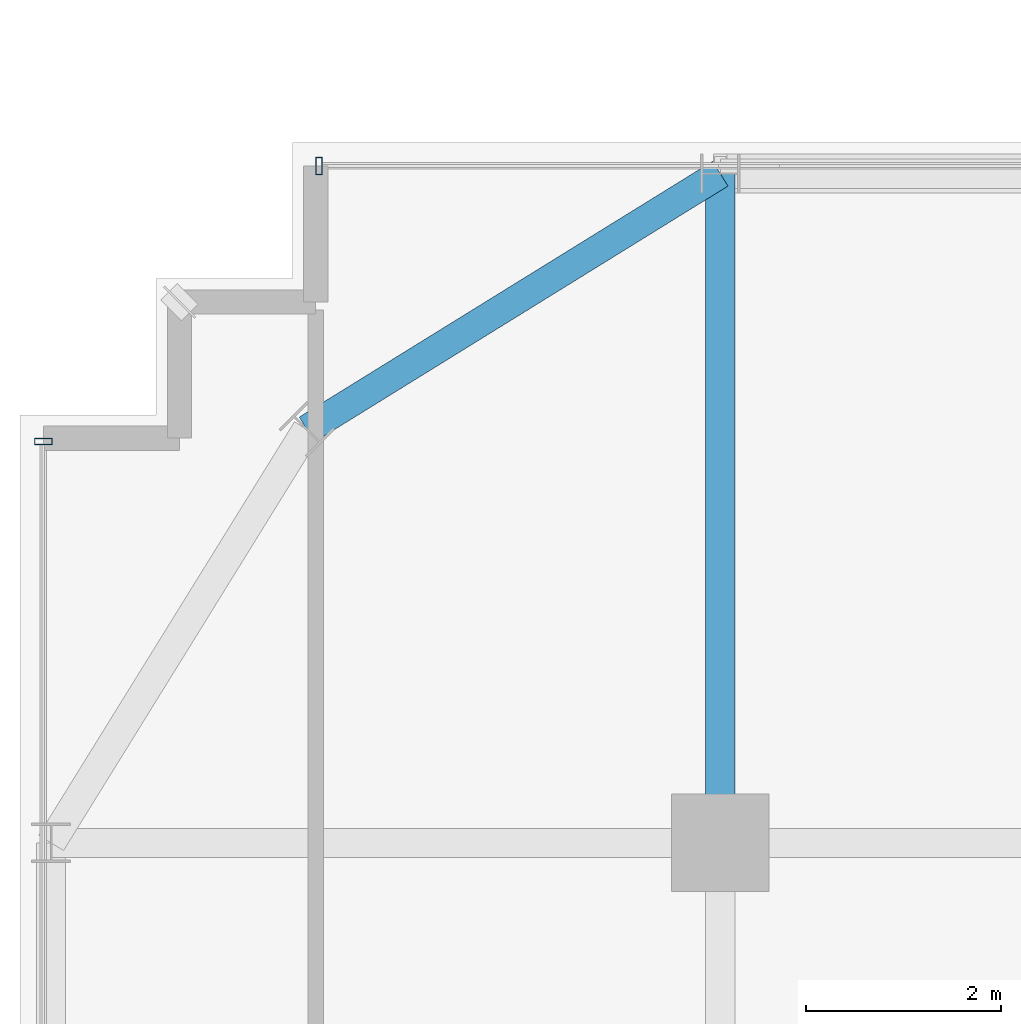
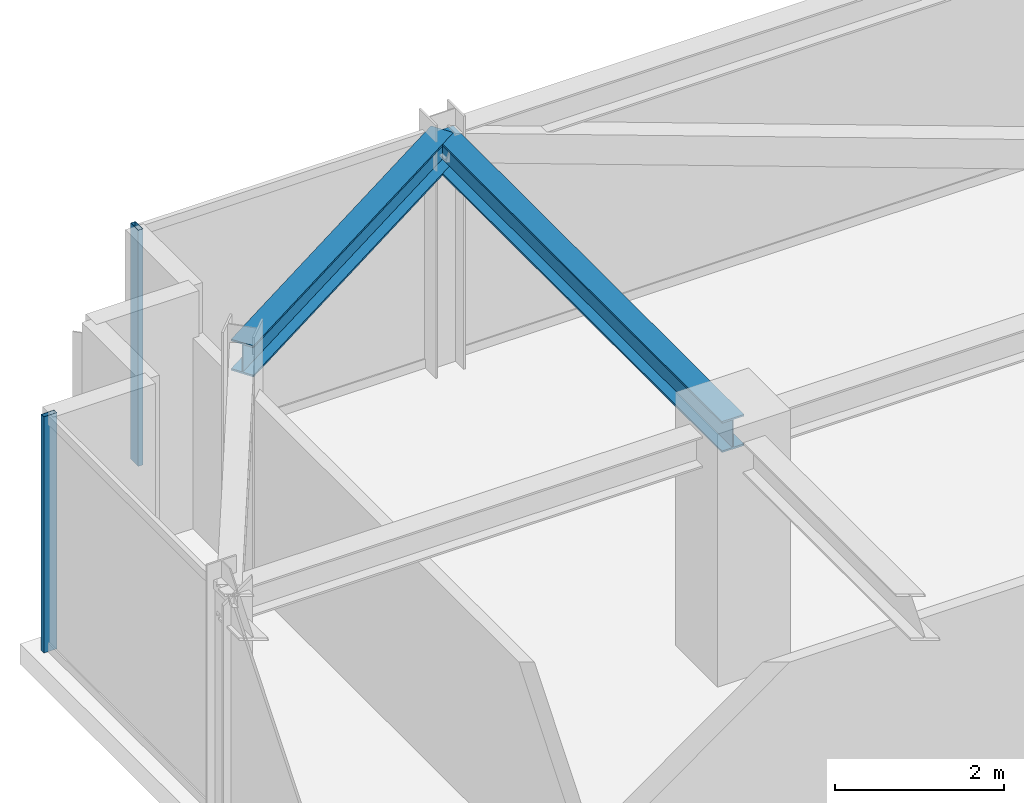
# One storey, part 20 of 42: 2 beams, 2 members, 2 elements without a shape of their own.
"""IFC4 building model written with IfcOpenShell, lengths in metres."""

from ifc_helpers import new_model, si_unit, direction, frame, origin, origin_2d, place, context, subcontext, project, spatial, hollow_rectangle, i_section, extrude, source, transform, mapped, material, material_profile, profile_set, type_object, element, aggregate, save


model = new_model("IFC4")

# Units and contexts
model_context = context("Model", 3, precision=1e-05, world=origin(), true_north=direction((0.0, 1.0)))
body_context = subcontext(model_context, "Body", "Model", "MODEL_VIEW")
ifc_project = project(units=[si_unit("LENGTHUNIT", "METRE"), si_unit("AREAUNIT", "SQUARE_METRE"), si_unit("VOLUMEUNIT", "CUBIC_METRE"), si_unit("PLANEANGLEUNIT", "RADIAN"), si_unit("MASSUNIT", "GRAM", prefix="KILO")], contexts=[model_context])

# Site, building, storey
site_placement = place(None, origin())
site = spatial("IfcSite", under=ifc_project, at=site_placement, CompositionType="ELEMENT")
building_placement = place(site_placement, origin())
building = spatial("IfcBuilding", under=site, at=building_placement, Name="Nahalor Promenade Grand Hotel", CompositionType="ELEMENT")
storey_placement = place(building_placement, frame((0.0, 0.0, 249.300048828125)))
storey = spatial("IfcBuildingStorey", under=building, at=storey_placement, Name="L64", CompositionType="ELEMENT", Elevation=249.300048828125)

# Beams
ifc_material_1 = material(Name="Steel S355JR", Category="steel")
ifc_material_profile_1 = material_profile(ifc_material_1, i_section(OverallWidth=0.3, OverallDepth=0.45, WebThickness=0.014, FlangeThickness=0.026, at=origin_2d()), Name="HEB 450")
ifc_profile_set_1 = profile_set([ifc_material_profile_1], Name="Steel S355JR")
beam_type_1 = type_object("IfcBeamType", Name="Beam-Spandrel-HEB450", PredefinedType="SPANDREL", material=ifc_profile_set_1)
shared_shape_1 = source(origin(), body_context, "Body", "SweptSolid", [
    extrude(i_section(OverallWidth=0.3, OverallDepth=0.45, WebThickness=0.014, FlangeThickness=0.026, at=origin_2d()), origin(), (0.0, 0.0, 1.0), 4.997802734375),
])
beam_1_placement = place(storey_placement, frame((-17.0, 23.8798828125, 3.18505859375), z_axis=(-0.850360908404, -0.526199891161, 0.0), x_axis=(0.526199891161, -0.850360908404, 0.0)))
element("IfcBeam", 1, at=beam_1_placement, inside=storey, type_object=beam_type_1, Name="BM-L64-SPC-NW-1", PredefinedType="SPANDREL", context=body_context, shape_type="MappedRepresentation", body=[
    mapped(shared_shape_1, transform((0.0, 0.0, 0.0), scale=1.0)),
])
ifc_material_profile_2 = material_profile(ifc_material_1, i_section(OverallWidth=0.3, OverallDepth=0.45, WebThickness=0.014, FlangeThickness=0.026, at=origin_2d()), Name="HEB 450")
ifc_profile_set_2 = profile_set([ifc_material_profile_2], Name="Steel S355JR")
beam_type_2 = type_object("IfcBeamType", Name="Beam-Girder-HEB450", PredefinedType="BEAM", material=ifc_profile_set_2)
shared_shape_2 = source(origin(), body_context, "Body", "SweptSolid", [
    extrude(i_section(OverallWidth=0.3, OverallDepth=0.45, WebThickness=0.014, FlangeThickness=0.026, at=origin_2d()), origin(), (0.0, 0.0, 1.0), 6.8798828125),
])
beam_2_placement = place(storey_placement, frame((-17.0, 17.0, 3.18505859375), z_axis=(0.0, 1.0, 0.0), x_axis=(-1.0, 0.0, 0.0)))
element("IfcBeam", 2, at=beam_2_placement, inside=storey, type_object=beam_type_2, Name="BM-L64-GY-0-4", PredefinedType="BEAM", context=body_context, shape_type="MappedRepresentation", body=[
    mapped(shared_shape_2, transform((0.0, 0.0, 0.0), scale=1.0)),
])

# Curtain wall, member
ifc_material_2 = material(Name="Anodised Bronze Aluminium EN AW-6063 T6", Category="aluminium")
curtain_wall_type = type_object("IfcCurtainWallType", Name="CW2 Typical Hotel Flush Bronze Unitised Curtain Wall", PredefinedType="USERDEFINED", material=ifc_material_2)
curtain_wall_1_placement = place(storey_placement, origin())
curtain_wall_1 = element("IfcCurtainWall", 3, at=curtain_wall_1_placement, inside=storey, type_object=curtain_wall_type, Name="L64 Curtain Wall CW-L64-N-1", ObjectType="UNITISED_CURTAIN_WALL", PredefinedType="USERDEFINED")
ifc_material_profile_3 = material_profile(ifc_material_2, hollow_rectangle(XDim=0.065, YDim=0.18, WallThickness=0.004, at=origin_2d()), Name="CWM 65x180x4")
ifc_profile_set_3 = profile_set([ifc_material_profile_3], Name="Anodised Bronze Aluminium EN AW-6063 T6")
member_type = type_object("IfcMemberType", Name="CWM2 Typical Bronze Mullion 65x180", PredefinedType="MULLION", material=ifc_profile_set_3)
shared_shape_3 = source(origin(), body_context, "Body", "SweptSolid", [
    extrude(hollow_rectangle(XDim=0.065, YDim=0.18, WallThickness=0.004, at=origin_2d()), origin(), (0.0, 0.0, 1.0), 3.409912109375),
])
member_1_placement = place(storey_placement, frame((-21.12744140625, 23.9599609375, 0.0), z_axis=(0.0, 0.0, 1.0), x_axis=(1.0, 0.0, 0.0)))
member_1 = element("IfcMember", 4, at=member_1_placement, type_object=member_type, Name="CW-L64-N-1 Mullion 0", PredefinedType="MULLION", context=body_context, shape_type="MappedRepresentation", body=[
    mapped(shared_shape_3, transform((0.0, 0.0, 0.0), scale=1.0)),
])
aggregate(curtain_wall_1, [member_1])

curtain_wall_2_placement = place(storey_placement, origin())
curtain_wall_2 = element("IfcCurtainWall", 5, at=curtain_wall_2_placement, inside=storey, type_object=curtain_wall_type, Name="L64 Curtain Wall CW-L64-W-1", ObjectType="UNITISED_CURTAIN_WALL", PredefinedType="USERDEFINED")
member_2_placement = place(storey_placement, frame((-23.9599609375, 21.12744140625, 0.0), z_axis=(0.0, 0.0, 1.0), x_axis=(0.0, 1.0, 0.0)))
member_2 = element("IfcMember", 6, at=member_2_placement, type_object=member_type, Name="CW-L64-W-1 Mullion 4", PredefinedType="MULLION", context=body_context, shape_type="MappedRepresentation", body=[
    mapped(shared_shape_3, transform((0.0, 0.0, 0.0), scale=1.0)),
])
aggregate(curtain_wall_2, [member_2])

save(model, "model.ifc")
